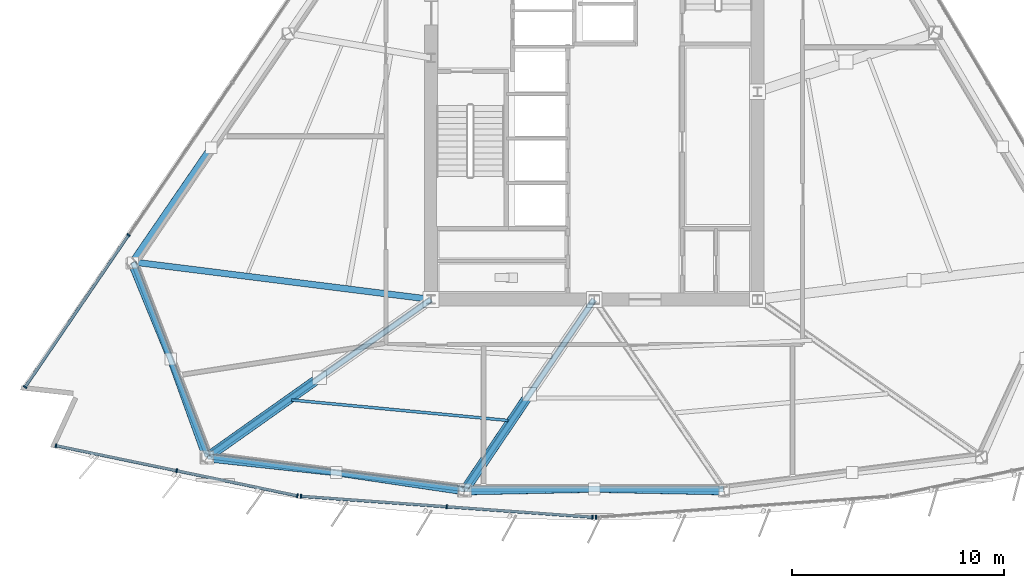
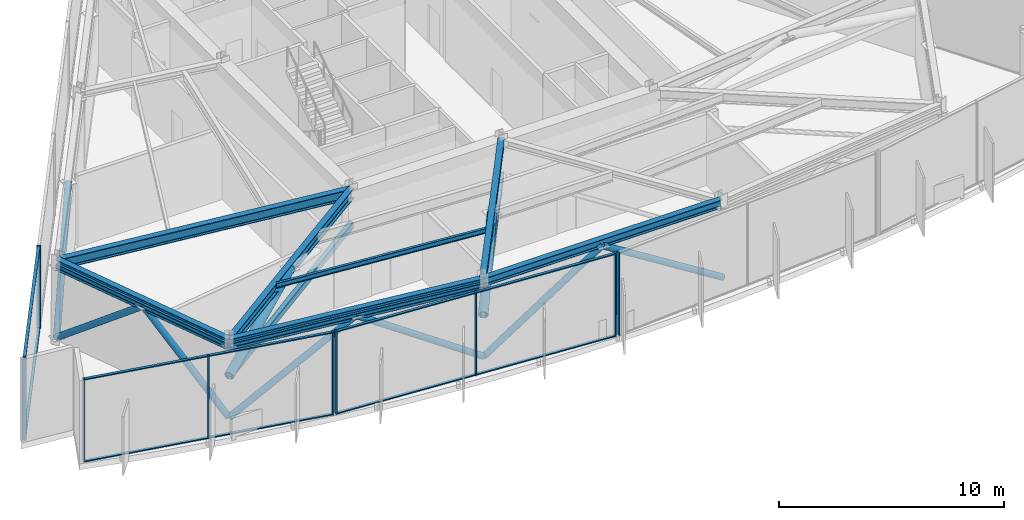
# One storey, part 2 of 14: 32 members, 7 beams, 4 elements without a shape of their own.
"""IFC4 building model written with IfcOpenShell, lengths in metres."""

from ifc_helpers import new_model, si_unit, direction, frame, origin, origin_2d, place, context, subcontext, project, spatial, rectangle, hollow_rectangle, hollow_circle, i_section, extrude, material, material_profile, profile_set, type_object, element, aggregate, save


model = new_model("IFC4")

# Units and contexts
model_context = context("Model", 3, precision=1e-05, world=origin(), true_north=direction((0.0, 1.0)))
body_context = subcontext(model_context, "Body", "Model", "MODEL_VIEW")
ifc_project = project(units=[si_unit("LENGTHUNIT", "METRE"), si_unit("AREAUNIT", "SQUARE_METRE"), si_unit("VOLUMEUNIT", "CUBIC_METRE"), si_unit("PLANEANGLEUNIT", "RADIAN"), si_unit("MASSUNIT", "GRAM", prefix="KILO")], contexts=[model_context])

# Site, building, storey
site_placement = place(None, origin())
site = spatial("IfcSite", under=ifc_project, at=site_placement, CompositionType="ELEMENT")
building_placement = place(site_placement, origin())
building = spatial("IfcBuilding", under=site, at=building_placement, Name="Savorim Split Tower", CompositionType="ELEMENT")
storey_placement = place(building_placement, frame((0.0, 0.0, 129.300048828125)))
storey = spatial("IfcBuildingStorey", under=building, at=storey_placement, Name="L34", CompositionType="ELEMENT", Elevation=129.300048828125)

# Beams
ifc_material_1 = material(Name="Steel S355", Category="steel")
ifc_material_profile_1 = material_profile(ifc_material_1, i_section(OverallWidth=0.135009765625, OverallDepth=0.27001953125, WebThickness=0.006591796875, FlangeThickness=0.01025390625, FilletRadius=0.014892578125, at=origin_2d()), Name="IPE 270")
ifc_profile_set_1 = profile_set([ifc_material_profile_1], Name="Steel S355")
beam_type_1 = type_object("IfcBeamType", Name="BM-JST-IPE270", PredefinedType="JOIST", material=ifc_profile_set_1)
beam_1_placement = place(storey_placement, frame((-14.280517578125, -14.146240234375, 4.364990234375), z_axis=(0.995558479163, -0.094145178134, 0.0), x_axis=(0.094145178134, 0.995558479163, 0.0)))
element("IfcBeam", 1, at=beam_1_placement, inside=storey, type_object=beam_type_1, Name="L34 Secondary Floor Joist JS-01", PredefinedType="JOIST", context=body_context, shape_type="SweptSolid", body=[
    extrude(i_section(OverallWidth=0.135009765625, OverallDepth=0.27001953125, WebThickness=0.006591796875, FlangeThickness=0.01025390625, FilletRadius=0.014892578125, at=origin_2d()), origin(), (0.0, 0.0, 1.0), 10.25634765625),
])
ifc_material_profile_2 = material_profile(ifc_material_1, i_section(OverallWidth=0.300048828125, OverallDepth=0.360107421875, WebThickness=0.012451171875, FlangeThickness=0.0224609375, FilletRadius=0.027099609375, at=origin_2d()), Name="HEB 360")
ifc_profile_set_2 = profile_set([ifc_material_profile_2], Name="Steel S355")
beam_type_2 = type_object("IfcBeamType", Name="BM-PRI-HEB360", PredefinedType="BEAM", material=ifc_profile_set_2)
beam_2_placement = place(storey_placement, frame((-6.110107421875, -18.348388671875, 4.320068359375), z_axis=(0.5638953113, 0.825846279821, 0.0), x_axis=(-0.825846279821, 0.5638953113, 0.0)))
element("IfcBeam", 2, at=beam_2_placement, inside=storey, type_object=beam_type_2, Name="L34 Primary Floor Girder RG-02", PredefinedType="BEAM", context=body_context, shape_type="SweptSolid", body=[
    extrude(i_section(OverallWidth=0.300048828125, OverallDepth=0.360107421875, WebThickness=0.012451171875, FlangeThickness=0.0224609375, FilletRadius=0.027099609375, at=origin_2d()), origin(), (0.0, 0.0, 1.0), 10.83544921875),
])
ifc_material_profile_3 = material_profile(ifc_material_1, i_section(OverallWidth=0.300048828125, OverallDepth=0.550048828125, WebThickness=0.014892578125, FlangeThickness=0.029052734375, FilletRadius=0.027099609375, at=origin_2d()), Name="HEB 550")
ifc_profile_set_3 = profile_set([ifc_material_profile_3], Name="Steel S355")
beam_type_3 = type_object("IfcBeamType", Name="BM-PRI-HEB550", PredefinedType="BEAM", material=ifc_profile_set_3)
beam_3_placement = place(storey_placement, frame((-18.23095703125, -16.792236328125, 4.224853515625), z_axis=(0.818477952467, 0.574537937238, 0.0), x_axis=(-0.574537937238, 0.818477952467, 0.0)))
element("IfcBeam", 3, at=beam_3_placement, inside=storey, type_object=beam_type_3, Name="L34 Primary Floor Girder RG-01", PredefinedType="BEAM", context=body_context, shape_type="SweptSolid", body=[
    extrude(i_section(OverallWidth=0.300048828125, OverallDepth=0.550048828125, WebThickness=0.014892578125, FlangeThickness=0.029052734375, FilletRadius=0.027099609375, at=origin_2d()), origin(), (0.0, 0.0, 1.0), 12.866455078125),
])
beam_4_placement = place(storey_placement, frame((-21.749267578125, -7.636962890625, 4.224853515625), z_axis=(0.992218876179, -0.124505830203, 0.0), x_axis=(0.124505830203, 0.992218876179, 0.0)))
element("IfcBeam", 4, at=beam_4_placement, inside=storey, type_object=beam_type_3, Name="L34 Primary Floor Girder RG-10", PredefinedType="BEAM", context=body_context, shape_type="SweptSolid", body=[
    extrude(i_section(OverallWidth=0.300048828125, OverallDepth=0.550048828125, WebThickness=0.014892578125, FlangeThickness=0.029052734375, FilletRadius=0.027099609375, at=origin_2d()), origin(), (0.0, 0.0, 1.0), 14.159423828125),
])
ifc_material_profile_4 = material_profile(ifc_material_1, i_section(OverallWidth=0.300048828125, OverallDepth=0.43994140625, WebThickness=0.011474609375, FlangeThickness=0.02099609375, FilletRadius=0.027099609375, at=origin_2d()), Name="HEA 450")
ifc_profile_set_4 = profile_set([ifc_material_profile_4], Name="Steel S355")
beam_type_4 = type_object("IfcBeamType", Name="BM-SPN-HEA450", PredefinedType="SPANDREL", material=ifc_profile_set_4)
for number, where, z_axis, x_axis, name in (
    (5, (-18.23095703125, -16.792236328125, 4.280029296875), (0.991858969878, -0.127341210426, 0.0), (0.127341210426, 0.991858969878, 0.0), "L34 Perimeter Spandrel Beam 1"),
    (6, (-6.110107421875, -18.348388671875, 4.280029296875), (1.0, 0.0, 0.0), (0.0, 1.0, 0.0), "L34 Perimeter Spandrel Beam 2"),
):
    element("IfcBeam", number, at=place(storey_placement, frame(where, z_axis=z_axis, x_axis=x_axis)), inside=storey, type_object=beam_type_4, Name=name, PredefinedType="SPANDREL", context=body_context, shape_type="SweptSolid", body=[
        extrude(i_section(OverallWidth=0.300048828125, OverallDepth=0.43994140625, WebThickness=0.011474609375, FlangeThickness=0.02099609375, FilletRadius=0.027099609375, at=origin_2d()), origin(), (0.0, 0.0, 1.0), 12.22021484375),
    ])
beam_5_placement = place(storey_placement, frame((-21.749267578125, -7.636962890625, 4.280029296875), z_axis=(0.358717186982, -0.933446291848, 0.0), x_axis=(0.933446291848, 0.358717186982, 0.0)))
element("IfcBeam", 7, at=beam_5_placement, inside=storey, type_object=beam_type_4, Name="L34 Perimeter Spandrel Beam 10", PredefinedType="SPANDREL", context=body_context, shape_type="SweptSolid", body=[
    extrude(i_section(OverallWidth=0.300048828125, OverallDepth=0.43994140625, WebThickness=0.011474609375, FlangeThickness=0.02099609375, FilletRadius=0.027099609375, at=origin_2d()), origin(), (0.0, 0.0, 1.0), 9.80810546875),
])

# Curtain wall, members
ifc_material_2 = material(Name="Dark Ceramic-Fritted Insulated Glass", Category="glass")
curtain_wall_type = type_object("IfcCurtainWallType", Name="CW-REFUGE-LVR", PredefinedType="NOTDEFINED", material=ifc_material_2)
curtain_wall_1_placement = place(storey_placement, origin())
curtain_wall_1 = element("IfcCurtainWall", 8, at=curtain_wall_1_placement, inside=storey, type_object=curtain_wall_type, Name="L34 Curtain Wall CW-L34-SF1", PredefinedType="NOTDEFINED")
ifc_material_3 = material(Name="Charcoal Anodised Aluminium", Category="aluminium")
ifc_material_profile_5 = material_profile(ifc_material_3, rectangle(XDim=0.179931640625, YDim=0.06494140625, at=origin_2d()), Name="ALU-M 180x65")
ifc_profile_set_5 = profile_set([ifc_material_profile_5], Name="Charcoal Anodised Aluminium")
member_type_1 = type_object("IfcMemberType", Name="CWM-180x65", PredefinedType="MULLION", material=ifc_profile_set_5)
member_1_placement = place(storey_placement, frame((-25.402099609375, -16.30029296875, 0.0), z_axis=(0.0, 0.0, 1.0), x_axis=(0.203209964912, 0.979135184824, 0.0)))
member_1 = element("IfcMember", 9, at=member_1_placement, type_object=member_type_1, Name="CW-06 mullion 1", PredefinedType="MULLION", context=body_context, shape_type="SweptSolid", body=[
    extrude(rectangle(XDim=0.179931640625, YDim=0.06494140625, at=origin_2d()), origin(), (0.0, 0.0, 1.0), 4.5),
])
member_2_placement = place(storey_placement, frame((-19.70458984375, -17.482666015625, 0.0), z_axis=(0.0, 0.0, 1.0), x_axis=(0.203209964912, 0.979135184824, 0.0)))
member_2 = element("IfcMember", 10, at=member_2_placement, type_object=member_type_1, Name="CW-06 mullion 2", PredefinedType="MULLION", context=body_context, shape_type="SweptSolid", body=[
    extrude(rectangle(XDim=0.179931640625, YDim=0.06494140625, at=origin_2d()), origin(), (0.0, 0.0, 1.0), 4.5),
])
member_3_placement = place(storey_placement, frame((-14.007080078125, -18.6650390625, 0.0), z_axis=(0.0, 0.0, 1.0), x_axis=(0.203209964912, 0.979135184824, 0.0)))
member_3 = element("IfcMember", 11, at=member_3_placement, type_object=member_type_1, Name="CW-06 mullion 3", PredefinedType="MULLION", context=body_context, shape_type="SweptSolid", body=[
    extrude(rectangle(XDim=0.179931640625, YDim=0.06494140625, at=origin_2d()), origin(), (0.0, 0.0, 1.0), 4.5),
])

curtain_wall_2_placement = place(storey_placement, origin())
curtain_wall_2 = element("IfcCurtainWall", 12, at=curtain_wall_2_placement, inside=storey, type_object=curtain_wall_type, Name="L34 Curtain Wall CW-L34-SF2", PredefinedType="NOTDEFINED")
member_4_placement = place(storey_placement, frame((-13.840087890625, -18.688232421875, 0.0), z_axis=(0.0, 0.0, 1.0), x_axis=(0.071560918492, 0.997436231017, 0.0)))
member_4 = element("IfcMember", 13, at=member_4_placement, type_object=member_type_1, Name="CW-06 mullion 1", PredefinedType="MULLION", context=body_context, shape_type="SweptSolid", body=[
    extrude(rectangle(XDim=0.179931640625, YDim=0.06494140625, at=origin_2d()), origin(), (0.0, 0.0, 1.0), 4.5),
])
member_5_placement = place(storey_placement, frame((-6.9619140625, -19.181884765625, 0.0), z_axis=(0.0, 0.0, 1.0), x_axis=(0.071560918492, 0.997436231017, 0.0)))
member_5 = element("IfcMember", 14, at=member_5_placement, type_object=member_type_1, Name="CW-06 mullion 2", PredefinedType="MULLION", context=body_context, shape_type="SweptSolid", body=[
    extrude(rectangle(XDim=0.179931640625, YDim=0.06494140625, at=origin_2d()), origin(), (0.0, 0.0, 1.0), 4.5),
])
member_6_placement = place(storey_placement, frame((-0.083740234375, -19.67529296875, 0.0), z_axis=(0.0, 0.0, 1.0), x_axis=(0.071560918492, 0.997436231017, 0.0)))
member_6 = element("IfcMember", 15, at=member_6_placement, type_object=member_type_1, Name="CW-06 mullion 3", PredefinedType="MULLION", context=body_context, shape_type="SweptSolid", body=[
    extrude(rectangle(XDim=0.179931640625, YDim=0.06494140625, at=origin_2d()), origin(), (0.0, 0.0, 1.0), 4.5),
])

# Curtain wall, member
curtain_wall_3_placement = place(storey_placement, origin())
curtain_wall_3 = element("IfcCurtainWall", 16, at=curtain_wall_3_placement, inside=storey, type_object=curtain_wall_type, Name="L34 Curtain Wall CW-L34-SF3", PredefinedType="NOTDEFINED")
member_7_placement = place(storey_placement, frame((0.083740234375, -19.67529296875, 0.0), z_axis=(0.0, 0.0, 1.0), x_axis=(-0.071560918492, 0.997436231017, 0.0)))
member_7 = element("IfcMember", 17, at=member_7_placement, type_object=member_type_1, Name="CW-06 mullion 1", PredefinedType="MULLION", context=body_context, shape_type="SweptSolid", body=[
    extrude(rectangle(XDim=0.179931640625, YDim=0.06494140625, at=origin_2d()), origin(), (0.0, 0.0, 1.0), 4.5),
])
aggregate(curtain_wall_3, [member_7])

# Curtain wall, members
curtain_wall_4_placement = place(storey_placement, origin())
curtain_wall_4 = element("IfcCurtainWall", 18, at=curtain_wall_4_placement, inside=storey, type_object=curtain_wall_type, Name="L34 Curtain Wall CW-L34-WEST", PredefinedType="NOTDEFINED")
member_8_placement = place(storey_placement, frame((-21.97607421875, -6.360595703125, 0.0), z_axis=(0.0, 0.0, 1.0), x_axis=(0.826819743155, -0.562466987768, 0.0)))
member_8 = element("IfcMember", 19, at=member_8_placement, type_object=member_type_1, Name="CW-06 mullion 5", PredefinedType="MULLION", context=body_context, shape_type="SweptSolid", body=[
    extrude(rectangle(XDim=0.179931640625, YDim=0.06494140625, at=origin_2d()), origin(), (0.0, 0.0, 1.0), 4.5),
])
member_9_placement = place(storey_placement, frame((-26.856201171875, -13.534423828125, 0.0), z_axis=(0.0, 0.0, 1.0), x_axis=(0.826819743155, -0.562466987768, 0.0)))
member_9 = element("IfcMember", 20, at=member_9_placement, type_object=member_type_1, Name="CW-06 mullion 6", PredefinedType="MULLION", context=body_context, shape_type="SweptSolid", body=[
    extrude(rectangle(XDim=0.179931640625, YDim=0.06494140625, at=origin_2d()), origin(), (0.0, 0.0, 1.0), 4.5),
])

# Member
ifc_material_profile_6 = material_profile(ifc_material_3, rectangle(XDim=0.139892578125, YDim=0.054931640625, at=origin_2d()), Name="ALU-T 140x55")
ifc_profile_set_6 = profile_set([ifc_material_profile_6], Name="Charcoal Anodised Aluminium")
member_type_2 = type_object("IfcMemberType", Name="CWT-140x55", PredefinedType="USERDEFINED", material=ifc_profile_set_6)
member_10_placement = place(storey_placement, frame((-25.3701171875, -16.306884765625, 0.02734375), z_axis=(0.979136864004, -0.203201873883, 0.0), x_axis=(0.203201873883, 0.979136864004, 0.0)))
member_10 = element("IfcMember", 21, at=member_10_placement, type_object=member_type_2, Name="CW-06 transom 1.1", ObjectType="TRANSOM", PredefinedType="USERDEFINED", context=body_context, shape_type="SweptSolid", body=[
    extrude(rectangle(XDim=0.139892578125, YDim=0.054931640625, at=origin_2d()), origin(), (0.0, 0.0, 1.0), 5.75390625),
])

member_11_placement = place(storey_placement, frame((-25.3701171875, -16.306884765625, 4.472412109375), z_axis=(0.979136864004, -0.203201873883, 0.0), x_axis=(0.203201873883, 0.979136864004, 0.0)))
member_11 = element("IfcMember", 22, at=member_11_placement, type_object=member_type_2, Name="CW-06 transom 1.2", ObjectType="TRANSOM", PredefinedType="USERDEFINED", context=body_context, shape_type="SweptSolid", body=[
    extrude(rectangle(XDim=0.139892578125, YDim=0.054931640625, at=origin_2d()), origin(), (0.0, 0.0, 1.0), 5.75390625),
])

member_12_placement = place(storey_placement, frame((-19.672607421875, -17.4892578125, 0.02734375), z_axis=(0.979135111877, -0.203210316394, 0.0), x_axis=(0.203210316394, 0.979135111877, 0.0)))
member_12 = element("IfcMember", 23, at=member_12_placement, type_object=member_type_2, Name="CW-06 transom 2.1", ObjectType="TRANSOM", PredefinedType="USERDEFINED", context=body_context, shape_type="SweptSolid", body=[
    extrude(rectangle(XDim=0.139892578125, YDim=0.054931640625, at=origin_2d()), origin(), (0.0, 0.0, 1.0), 5.753662109375),
])

member_13_placement = place(storey_placement, frame((-19.672607421875, -17.4892578125, 4.472412109375), z_axis=(0.979135111877, -0.203210316394, 0.0), x_axis=(0.203210316394, 0.979135111877, 0.0)))
member_13 = element("IfcMember", 24, at=member_13_placement, type_object=member_type_2, Name="CW-06 transom 2.2", ObjectType="TRANSOM", PredefinedType="USERDEFINED", context=body_context, shape_type="SweptSolid", body=[
    extrude(rectangle(XDim=0.139892578125, YDim=0.054931640625, at=origin_2d()), origin(), (0.0, 0.0, 1.0), 5.753662109375),
])

aggregate(curtain_wall_1, [member_1, member_2, member_3, member_10, member_11, member_12, member_13])

member_14_placement = place(storey_placement, frame((-13.8076171875, -18.690673828125, 0.02734375), z_axis=(0.99743669961, -0.071554386807, 0.0), x_axis=(0.071554386807, 0.99743669961, 0.0)))
member_14 = element("IfcMember", 25, at=member_14_placement, type_object=member_type_2, Name="CW-06 transom 1.1", ObjectType="TRANSOM", PredefinedType="USERDEFINED", context=body_context, shape_type="SweptSolid", body=[
    extrude(rectangle(XDim=0.139892578125, YDim=0.054931640625, at=origin_2d()), origin(), (0.0, 0.0, 1.0), 6.830810546875),
])

member_15_placement = place(storey_placement, frame((-13.8076171875, -18.690673828125, 4.472412109375), z_axis=(0.99743669961, -0.071554386807, 0.0), x_axis=(0.071554386807, 0.99743669961, 0.0)))
member_15 = element("IfcMember", 26, at=member_15_placement, type_object=member_type_2, Name="CW-06 transom 1.2", ObjectType="TRANSOM", PredefinedType="USERDEFINED", context=body_context, shape_type="SweptSolid", body=[
    extrude(rectangle(XDim=0.139892578125, YDim=0.054931640625, at=origin_2d()), origin(), (0.0, 0.0, 1.0), 6.830810546875),
])

member_16_placement = place(storey_placement, frame((-6.929443359375, -19.18408203125, 0.02734375), z_axis=(0.99743669961, -0.071554386807, 0.0), x_axis=(0.071554386807, 0.99743669961, 0.0)))
member_16 = element("IfcMember", 27, at=member_16_placement, type_object=member_type_2, Name="CW-06 transom 2.1", ObjectType="TRANSOM", PredefinedType="USERDEFINED", context=body_context, shape_type="SweptSolid", body=[
    extrude(rectangle(XDim=0.139892578125, YDim=0.054931640625, at=origin_2d()), origin(), (0.0, 0.0, 1.0), 6.830810546875),
])

member_17_placement = place(storey_placement, frame((-6.929443359375, -19.18408203125, 4.472412109375), z_axis=(0.99743669961, -0.071554386807, 0.0), x_axis=(0.071554386807, 0.99743669961, 0.0)))
member_17 = element("IfcMember", 28, at=member_17_placement, type_object=member_type_2, Name="CW-06 transom 2.2", ObjectType="TRANSOM", PredefinedType="USERDEFINED", context=body_context, shape_type="SweptSolid", body=[
    extrude(rectangle(XDim=0.139892578125, YDim=0.054931640625, at=origin_2d()), origin(), (0.0, 0.0, 1.0), 6.830810546875),
])

aggregate(curtain_wall_2, [member_4, member_5, member_6, member_14, member_15, member_16, member_17])

member_18_placement = place(storey_placement, frame((-21.994384765625, -6.387451171875, 0.02734375), z_axis=(-0.562455024594, -0.826827881308, 0.0), x_axis=(0.826827881308, -0.562455024594, 0.0)))
member_18 = element("IfcMember", 29, at=member_18_placement, type_object=member_type_2, Name="CW-06 transom 5.1", ObjectType="TRANSOM", PredefinedType="USERDEFINED", context=body_context, shape_type="SweptSolid", body=[
    extrude(rectangle(XDim=0.139892578125, YDim=0.054931640625, at=origin_2d()), origin(), (0.0, 0.0, 1.0), 8.611328125),
])

member_19_placement = place(storey_placement, frame((-21.994384765625, -6.387451171875, 4.472412109375), z_axis=(-0.562455024594, -0.826827881308, 0.0), x_axis=(0.826827881308, -0.562455024594, 0.0)))
member_19 = element("IfcMember", 30, at=member_19_placement, type_object=member_type_2, Name="CW-06 transom 5.2", ObjectType="TRANSOM", PredefinedType="USERDEFINED", context=body_context, shape_type="SweptSolid", body=[
    extrude(rectangle(XDim=0.139892578125, YDim=0.054931640625, at=origin_2d()), origin(), (0.0, 0.0, 1.0), 8.611328125),
])

aggregate(curtain_wall_4, [member_8, member_9, member_18, member_19])

# Members
ifc_material_4 = material(Name="Steel S460", Category="steel")
ifc_material_profile_7 = material_profile(ifc_material_4, hollow_circle(Radius=0.161865234375, WallThickness=0.01611328125, at=origin_2d()), Name="CHS 323.9x16")
ifc_profile_set_7 = profile_set([ifc_material_profile_7], Name="Steel S460")
member_type_3 = type_object("IfcMemberType", Name="MBR-BLT-CHS324", PredefinedType="BRACE", material=ifc_profile_set_7)
member_20_placement = place(storey_placement, frame((-18.300537109375, -16.905517578125, 0.280029296875), z_axis=(0.846369057985, -0.0917863294, 0.52462814204), x_axis=(0.107815028638, 0.99417097101, 0.0)))
element("IfcMember", 31, at=member_20_placement, inside=storey, type_object=member_type_3, Name="L34 Perimeter Belt Truss Brace 1A", PredefinedType="BRACE", context=body_context, shape_type="SweptSolid", body=[
    extrude(hollow_circle(Radius=0.161865234375, WallThickness=0.01611328125, at=origin_2d()), origin(), (0.0, 0.0, 1.0), 7.242919921875),
])
member_21_placement = place(storey_placement, frame((-6.133544921875, -18.4677734375, 0.280029296875), z_axis=(-0.839687917108, 0.12483086437, 0.52852763141), x_axis=(-0.147047351963, -0.989129453752, 0.0)))
element("IfcMember", 32, at=member_21_placement, inside=storey, type_object=member_type_3, Name="L34 Perimeter Belt Truss Brace 1B", PredefinedType="BRACE", context=body_context, shape_type="SweptSolid", body=[
    extrude(hollow_circle(Radius=0.161865234375, WallThickness=0.01611328125, at=origin_2d()), origin(), (0.0, 0.0, 1.0), 7.189453125),
])
for number, where, z_axis, x_axis, name in (
    (33, (-6.133544921875, -18.4677734375, 0.280029296875), (0.849972079929, 0.016544057122, 0.526567903993), (-0.01946054993, 0.999810625567, 0.0), "L34 Perimeter Belt Truss Brace 2A"),
    (34, (6.133544921875, -18.4677734375, 0.280029296875), (-0.849972079929, 0.016544057122, 0.526567903993), (-0.01946054993, -0.999810625567, 0.0), "L34 Perimeter Belt Truss Brace 2B"),
):
    element("IfcMember", number, at=place(storey_placement, frame(where, z_axis=z_axis, x_axis=x_axis)), inside=storey, type_object=member_type_3, Name=name, PredefinedType="BRACE", context=body_context, shape_type="SweptSolid", body=[
        extrude(hollow_circle(Radius=0.161865234375, WallThickness=0.01611328125, at=origin_2d()), origin(), (0.0, 0.0, 1.0), 7.216064453125),
    ])
member_22_placement = place(storey_placement, frame((-21.83447265625, -7.710205078125, 0.280029296875), z_axis=(0.491212677792, 0.715225846563, 0.497153993833), x_axis=(-0.824313592701, 0.566133465614, 0.0)))
element("IfcMember", 35, at=member_22_placement, inside=storey, type_object=member_type_3, Name="L34 Perimeter Belt Truss Brace 9B", PredefinedType="BRACE", context=body_context, shape_type="SweptSolid", body=[
    extrude(hollow_circle(Radius=0.161865234375, WallThickness=0.01611328125, at=origin_2d()), origin(), (0.0, 0.0, 1.0), 7.64306640625),
])
member_23_placement = place(storey_placement, frame((-21.83447265625, -7.710205078125, 0.280029296875), z_axis=(0.298703266897, -0.729460658404, 0.615356405821), x_axis=(0.925419066587, 0.378945314258, 0.0)))
element("IfcMember", 36, at=member_23_placement, inside=storey, type_object=member_type_3, Name="L34 Perimeter Belt Truss Brace 10A", PredefinedType="BRACE", context=body_context, shape_type="SweptSolid", body=[
    extrude(hollow_circle(Radius=0.161865234375, WallThickness=0.01611328125, at=origin_2d()), origin(), (0.0, 0.0, 1.0), 6.175048828125),
])
member_24_placement = place(storey_placement, frame((-18.300537109375, -16.905517578125, 0.280029296875), z_axis=(-0.269503122714, 0.74829956645, 0.606148352879), x_axis=(-0.940841210981, -0.33884777662, 0.0)))
element("IfcMember", 37, at=member_24_placement, inside=storey, type_object=member_type_3, Name="L34 Perimeter Belt Truss Brace 10B", PredefinedType="BRACE", context=body_context, shape_type="SweptSolid", body=[
    extrude(hollow_circle(Radius=0.161865234375, WallThickness=0.01611328125, at=origin_2d()), origin(), (0.0, 0.0, 1.0), 6.268798828125),
])
ifc_material_profile_8 = material_profile(ifc_material_4, hollow_rectangle(XDim=0.25, YDim=0.35009765625, WallThickness=0.01611328125, InnerFilletRadius=0.01611328125, OuterFilletRadius=0.031982421875, at=origin_2d()), Name="RHS 350x250x16")
ifc_profile_set_8 = profile_set([ifc_material_profile_8], Name="Steel S460")
member_type_4 = type_object("IfcMemberType", Name="MBR-CHD-RHS350", PredefinedType="CHORD", material=ifc_profile_set_8)
member_25_placement = place(storey_placement, frame((-18.241943359375, -16.810302734375, 4.079833984375), z_axis=(0.991858595617, -0.127344125508, 0.0), x_axis=(0.127344125508, 0.991858595617, 0.0)))
element("IfcMember", 38, at=member_25_placement, inside=storey, type_object=member_type_4, Name="L34 Perimeter Belt Truss Chord 1", PredefinedType="CHORD", context=body_context, shape_type="SweptSolid", body=[
    extrude(hollow_rectangle(XDim=0.25, YDim=0.35009765625, WallThickness=0.01611328125, InnerFilletRadius=0.01611328125, OuterFilletRadius=0.031982421875, at=origin_2d()), origin(), (0.0, 0.0, 1.0), 12.227783203125),
])
member_26_placement = place(storey_placement, frame((-21.7626953125, -7.648681640625, 4.079833984375), z_axis=(0.358717368464, -0.933446222105, 0.0), x_axis=(0.933446222105, 0.358717368464, 0.0)))
element("IfcMember", 39, at=member_26_placement, inside=storey, type_object=member_type_4, Name="L34 Perimeter Belt Truss Chord 10", PredefinedType="CHORD", context=body_context, shape_type="SweptSolid", body=[
    extrude(hollow_rectangle(XDim=0.25, YDim=0.35009765625, WallThickness=0.01611328125, InnerFilletRadius=0.01611328125, OuterFilletRadius=0.031982421875, at=origin_2d()), origin(), (0.0, 0.0, 1.0), 9.81494140625),
])
member_27_placement = place(storey_placement, frame((-7.699951171875, -9.39990234375, 2.47998046875), z_axis=(-0.817272841542, -0.576250902367, 0.0), x_axis=(0.576250902367, -0.817272841542, 0.0)))
element("IfcMember", 40, at=member_27_placement, inside=storey, type_object=member_type_4, Name="L34 Outrigger Bottom Chord S1", PredefinedType="CHORD", context=body_context, shape_type="SweptSolid", body=[
    extrude(hollow_rectangle(XDim=0.25, YDim=0.35009765625, WallThickness=0.01611328125, InnerFilletRadius=0.01611328125, OuterFilletRadius=0.031982421875, at=origin_2d()), origin(), (0.0, 0.0, 1.0), 12.92919921875),
])
member_28_placement = place(storey_placement, frame((0.0, -9.39990234375, 2.47998046875), z_axis=(-0.562023084253, -0.82712154655, 0.0), x_axis=(0.82712154655, -0.562023084253, 0.0)))
element("IfcMember", 41, at=member_28_placement, inside=storey, type_object=member_type_4, Name="L34 Outrigger Bottom Chord S2", PredefinedType="CHORD", context=body_context, shape_type="SweptSolid", body=[
    extrude(hollow_rectangle(XDim=0.25, YDim=0.35009765625, WallThickness=0.01611328125, InnerFilletRadius=0.01611328125, OuterFilletRadius=0.031982421875, at=origin_2d()), origin(), (0.0, 0.0, 1.0), 10.892822265625),
])
ifc_material_profile_9 = material_profile(ifc_material_4, hollow_circle(Radius=0.228515625, WallThickness=0.02490234375, at=origin_2d()), Name="CHS 457x25")
ifc_profile_set_9 = profile_set([ifc_material_profile_9], Name="Steel S460")
member_type_5 = type_object("IfcMemberType", Name="MBR-OUT-CHS457", PredefinedType="BRACE", material=ifc_profile_set_9)
member_29_placement = place(storey_placement, frame((-12.96533203125, -13.09619140625, 4.199951171875), z_axis=(-0.788905573216, -0.558671870652, -0.255956514843), x_axis=(0.577923486504, -0.816090953109, 0.0)))
element("IfcMember", 42, at=member_29_placement, inside=storey, type_object=member_type_5, Name="L34 Outrigger Truss Diagonal S1-B", PredefinedType="BRACE", context=body_context, shape_type="SweptSolid", body=[
    extrude(hollow_circle(Radius=0.228515625, WallThickness=0.02490234375, at=origin_2d()), origin(), (0.0, 0.0, 1.0), 6.7197265625),
])
member_30_placement = place(storey_placement, frame((-3.05517578125, -13.874267578125, 4.199951171875), z_axis=(-0.534412507347, -0.790302591067, -0.299708335795), x_axis=(0.828382613679, -0.560162695432, 0.0)))
element("IfcMember", 43, at=member_30_placement, inside=storey, type_object=member_type_5, Name="L34 Outrigger Truss Diagonal S2-B", PredefinedType="BRACE", context=body_context, shape_type="SweptSolid", body=[
    extrude(hollow_circle(Radius=0.228515625, WallThickness=0.02490234375, at=origin_2d()), origin(), (0.0, 0.0, 1.0), 5.73876953125),
])

save(model, "model.ifc")
